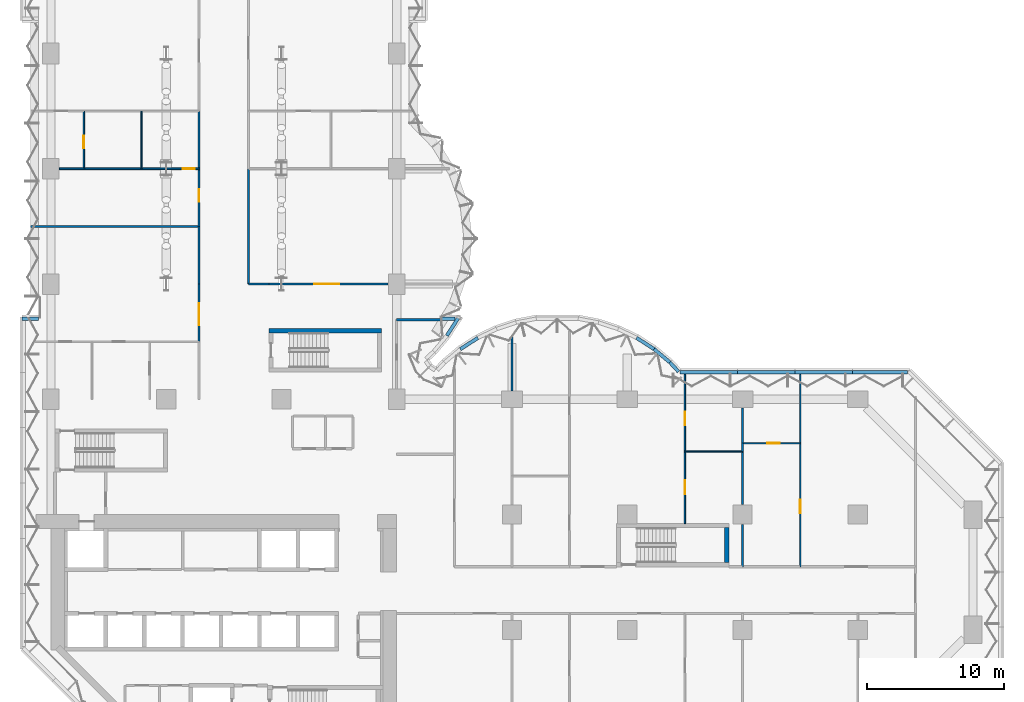
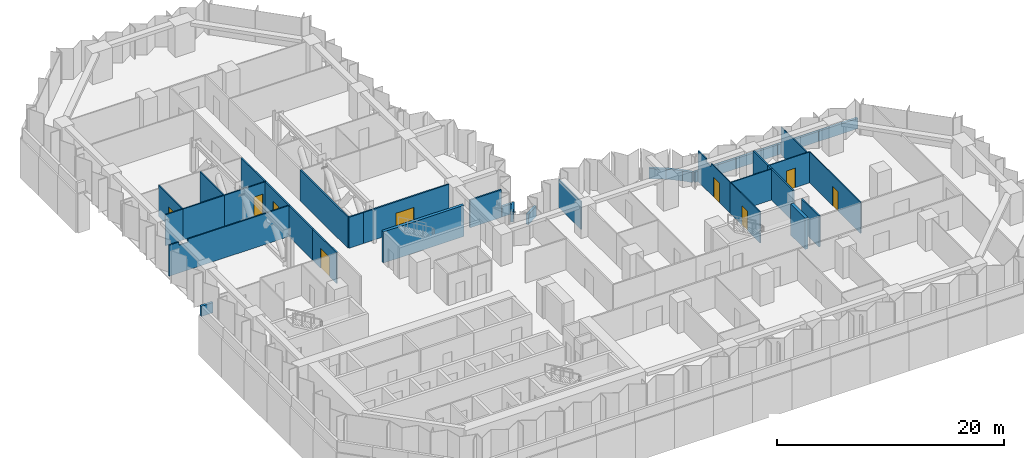
# One storey, part 13 of 24: 38 walls, 9 doors, 9 openings.
"""IFC4 building model written with IfcOpenShell, lengths in metres."""

import ifcopenshell
import ifcopenshell.guid

model = None  # the IFC model being written
_history = None  # IfcOwnerHistory: only IFC2X3 demands one
_inside = {}  # id of a spatial element -> (the spatial element, [elements in it])
_under = {}  # id of a project, library or spatial element -> (it, [spatial elements below it])
_declared = {}  # id of a project -> (the project, [libraries it declares])
_typed = {}  # id of a type object -> (the type object, [elements of that type])
_made_of = {}  # id of a material, layer set ... -> (it, [elements and type objects made of it])


def new_model(schema):
    """Start an empty IFC model of exactly this schema.

    Asked for "IFC4X3", IfcOpenShell would pick the latest addendum, in which some entities
    have other attributes; the version numbers below select the first issue.
    IFC2X3 requires an IfcOwnerHistory on every rooted entity: one is made here for all.
    """
    global model, _history
    if schema == "IFC4X3":
        model = ifcopenshell.file(schema_version=(4, 3, 0, 0))
    else:
        model = ifcopenshell.file(schema=schema)
    _inside.clear()
    _under.clear()
    _declared.clear()
    _typed.clear()
    _made_of.clear()
    _history = None
    if model.schema == "IFC2X3":
        org = make("IfcOrganization", Name="unknown")
        user = make(
            "IfcPersonAndOrganization",
            ThePerson=make("IfcPerson", FamilyName="unknown"),
            TheOrganization=org,
        )
        app = make(
            "IfcApplication",
            ApplicationDeveloper=org,
            Version="unknown",
            ApplicationFullName="unknown",
            ApplicationIdentifier="unknown",
        )
        _history = make(
            "IfcOwnerHistory",
            OwningUser=user,
            OwningApplication=app,
            ChangeAction="ADDED",
            CreationDate=0,
        )
    return model


def make(cls, **values):
    """One entity of the class cls with the attributes given. An attribute that is None is left unset."""
    return model.create_entity(
        cls, **{name: value for name, value in values.items() if value is not None}
    )


def rooted(cls, **values):
    """An entity with a GlobalId (a new one), such as an element, a storey or a relation."""
    return make(cls, GlobalId=ifcopenshell.guid.new(), OwnerHistory=_history, **values)


def si_unit(unit_type, name, prefix=None):
    """IfcSIUnit, for example si_unit("LENGTHUNIT", "METRE", prefix="MILLI")."""
    return make("IfcSIUnit", UnitType=unit_type, Prefix=prefix, Name=name)


def assignment(units):
    """IfcUnitAssignment: the units of a project."""
    return None if units is None else make("IfcUnitAssignment", Units=units)


def point(xyz):
    """IfcCartesianPoint."""
    return None if xyz is None else make("IfcCartesianPoint", Coordinates=xyz)


def direction(xyz):
    """IfcDirection."""
    return None if xyz is None else make("IfcDirection", DirectionRatios=xyz)


def frame(location, z_axis=None, x_axis=None):
    """IfcAxis2Placement3D, a coordinate frame: its origin and axes. An axis left out is left unset."""
    return make(
        "IfcAxis2Placement3D",
        Location=point(location),
        Axis=direction(z_axis),
        RefDirection=direction(x_axis),
    )


def frame_2d(location, x_axis=None):
    """IfcAxis2Placement2D, a coordinate frame in the plane: its origin and x axis."""
    return make(
        "IfcAxis2Placement2D", Location=point(location), RefDirection=direction(x_axis)
    )


def origin():
    """The frame at (0, 0, 0) with its axes left unset."""
    return frame((0.0, 0.0, 0.0))


def place(relative_to, where):
    """IfcLocalPlacement: puts the frame where relative to a parent placement (None: the world)."""
    return make(
        "IfcLocalPlacement", PlacementRelTo=relative_to, RelativePlacement=where
    )


def context(
    kind, dimensions, precision=None, world=None, true_north=None, identifier=None
):
    """IfcGeometricRepresentationContext, for example the 3D "Model" context."""
    return make(
        "IfcGeometricRepresentationContext",
        ContextIdentifier=identifier,
        ContextType=kind,
        CoordinateSpaceDimension=dimensions,
        Precision=precision,
        WorldCoordinateSystem=world,
        TrueNorth=true_north,
    )


def subcontext(parent, identifier, kind, view, scale=None):
    """IfcGeometricRepresentationSubContext, for example "Body" below "Model"."""
    return make(
        "IfcGeometricRepresentationSubContext",
        ContextIdentifier=identifier,
        ContextType=kind,
        ParentContext=parent,
        TargetScale=scale,
        TargetView=view,
    )


def project(units=None, contexts=None):
    """IfcProject with its units and contexts."""
    return rooted(
        "IfcProject",
        Name="project",
        RepresentationContexts=contexts,
        UnitsInContext=assignment(units),
    )


def spatial(cls, under=None, at=None, **own):
    """A site, building, storey or space (cls), placed at a placement, below another one or the project."""
    s = rooted(cls, ObjectPlacement=at, **own)
    if under is not None:
        _under.setdefault(under.id(), (under, []))[1].append(s)
    return s


def polyline(points):
    """IfcPolyline through the points."""
    return make("IfcPolyline", Points=[point(p) for p in points])


def profile(cls, at=None, kind="AREA", **sizes):
    """A parametric profile (cls). Its sizes go by their IFC names, for example OverallWidth=200.0."""
    return make(cls, ProfileType=kind, Position=at, **sizes)


def rectangle(**sizes):
    """IfcRectangleProfileDef."""
    return profile("IfcRectangleProfileDef", **sizes)


def outline(outer, holes=None, kind="AREA"):
    """IfcArbitraryClosedProfileDef: a profile drawn as a closed curve; with holes, ...WithVoids."""
    if holes is None:
        return make("IfcArbitraryClosedProfileDef", ProfileType=kind, OuterCurve=outer)
    return make(
        "IfcArbitraryProfileDefWithVoids",
        ProfileType=kind,
        OuterCurve=outer,
        InnerCurves=holes,
    )


def extrude(swept, where, along, depth):
    """IfcExtrudedAreaSolid: the profile swept, set in the frame where, extruded along a direction by depth."""
    return make(
        "IfcExtrudedAreaSolid",
        SweptArea=swept,
        Position=where,
        ExtrudedDirection=direction(along),
        Depth=depth,
    )


def shape(context_of_items, identifier, shape_type, items):
    """IfcShapeRepresentation: the items that make up one representation, for example the "Body"."""
    return make(
        "IfcShapeRepresentation",
        ContextOfItems=context_of_items,
        RepresentationIdentifier=identifier,
        RepresentationType=shape_type,
        Items=items,
    )


def material(Name=None, Category=None):
    """IfcMaterial."""
    return make("IfcMaterial", Name=Name, Category=Category)


def layer(
    of_material, thickness, ventilated=None, Name=None, Category=None, Priority=None
):
    """IfcMaterialLayer: one layer of a wall or slab, of a material (None: an air gap)."""
    return make(
        "IfcMaterialLayer",
        Material=of_material,
        LayerThickness=thickness,
        IsVentilated=ventilated,
        Name=Name,
        Category=Category,
        Priority=Priority,
    )


def layer_set(layers, Name=None):
    """IfcMaterialLayerSet."""
    return make("IfcMaterialLayerSet", MaterialLayers=layers, LayerSetName=Name)


def made_of(thing, what):
    """Note that an element or type object is made of a material, layer set ...; save() writes the relation."""
    if what is not None:
        _made_of.setdefault(what.id(), (what, []))[1].append(thing)
    return thing


def type_object(cls, material=None, **own):
    """A type object (cls), such as IfcWallType, which elements share."""
    return made_of(rooted(cls, **own), material)


def element(
    cls,
    number,
    at=None,
    inside=None,
    cuts=None,
    type_object=None,
    material=None,
    context=None,
    identifier="Body",
    shape_type=None,
    held_by="IfcProductDefinitionShape",
    body=None,
    shapes=None,
    **own,
):
    """One element of the class cls, such as IfcWall. Its Tag is "e" and its number.

    at: its placement. inside: the storey or other place that contains it. cuts: it is an
    opening in that element (IfcRelVoidsElement). A single representation is given by context,
    identifier, shape_type and body (its items); several are given by shapes. held_by: the class
    of the entity that holds the representations. save() writes the other relations.
    """
    e = rooted(cls, Tag="e%d" % number, ObjectPlacement=at, **own)
    if body is not None:
        shapes = [shape(context, identifier, shape_type, body)]
    if shapes is not None:
        e.Representation = make(held_by, Representations=shapes)
    if inside is not None:
        _inside.setdefault(inside.id(), (inside, []))[1].append(e)
    if cuts is not None:
        rooted(
            "IfcRelVoidsElement", RelatingBuildingElement=cuts, RelatedOpeningElement=e
        )
    if type_object is not None:
        _typed.setdefault(type_object.id(), (type_object, []))[1].append(e)
    return made_of(e, material)


def fill(opening, filler):
    """IfcRelFillsElement: the door or window that sits in an opening."""
    return rooted(
        "IfcRelFillsElement",
        RelatingOpeningElement=opening,
        RelatedBuildingElement=filler,
    )


def aggregate(whole, parts):
    """IfcRelAggregates: a whole, such as a stair, and the parts it consists of."""
    return rooted("IfcRelAggregates", RelatingObject=whole, RelatedObjects=parts)


def save(model, path):
    """Write the relations noted so far, then the file.

    IfcRelAggregates (storeys below a building ...), IfcRelContainedInSpatialStructure (elements
    in a storey), IfcRelDefinesByType, IfcRelAssociatesMaterial and IfcRelDeclares: one each for
    every whole, place, type object, material and project.
    """
    for whole, parts in _under.values():
        aggregate(whole, parts)
    for where, things in _inside.values():
        rooted(
            "IfcRelContainedInSpatialStructure",
            RelatedElements=things,
            RelatingStructure=where,
        )
    for kind, things in _typed.values():
        rooted("IfcRelDefinesByType", RelatedObjects=things, RelatingType=kind)
    for what, things in _made_of.values():
        rooted("IfcRelAssociatesMaterial", RelatedObjects=things, RelatingMaterial=what)
    for by, libraries in _declared.values():
        rooted("IfcRelDeclares", RelatingContext=by, RelatedDefinitions=libraries)
    model.write(path)


model = new_model("IFC4")

# Units and contexts
model_context = context("Model", 3, precision=1e-05, world=origin(), true_north=direction((0.0, 1.0)))
body_context = subcontext(model_context, "Body", "Model", "MODEL_VIEW")
ifc_project = project(units=[si_unit("LENGTHUNIT", "METRE"), si_unit("AREAUNIT", "SQUARE_METRE"), si_unit("VOLUMEUNIT", "CUBIC_METRE"), si_unit("PLANEANGLEUNIT", "RADIAN"), si_unit("MASSUNIT", "GRAM", prefix="KILO")], contexts=[model_context])

# Site, building, storey
site_placement = place(None, origin())
site = spatial("IfcSite", under=ifc_project, at=site_placement, CompositionType="ELEMENT")
building_placement = place(site_placement, origin())
building = spatial("IfcBuilding", under=site, at=building_placement, Name="Brevane Broadcast Tower", CompositionType="ELEMENT")
storey_placement = place(building_placement, frame((0.0, 0.0, 36.5)))
storey = spatial("IfcBuildingStorey", under=building, at=storey_placement, Name="L06", CompositionType="ELEMENT", Elevation=36.5)

# Walls
ifc_material_1 = material(Name="Concrete C50/60", Category="concrete")
ifc_layer_1 = layer(ifc_material_1, 0.25)
ifc_layer_set_1 = layer_set([ifc_layer_1], Name="CORNICE PARAPET 1100")
wall_type_1 = type_object("IfcWallType", Name="CORNICE PARAPET 1100", PredefinedType="PARAPET", material=ifc_layer_set_1)
wall_1_placement = place(storey_placement, frame((-2.10009765625, 31.074951171875, 0.0), z_axis=(0.0, 0.0, 1.0), x_axis=(1.0, 0.0, 0.0)))
element("IfcWall", 1, at=wall_1_placement, inside=storey, type_object=wall_type_1, Name="Cornice parapet", PredefinedType="PARAPET", context=body_context, shape_type="SweptSolid", body=[
    extrude(rectangle(XDim=1.2001953125, YDim=0.25, at=frame_2d((0.60009765625, 0.0))), origin(), (0.0, 0.0, 1.0), 1.10009765625),
])
wall_2_placement = place(storey_placement, frame((28.45263671875, 31.074951171875, 0.0), z_axis=(0.0, 0.0, 1.0), x_axis=(1.0, 0.0, 0.0)))
element("IfcWall", 2, at=wall_2_placement, inside=storey, type_object=wall_type_1, Name="Cornice parapet", PredefinedType="PARAPET", context=body_context, shape_type="SweptSolid", body=[
    extrude(rectangle(XDim=0.97705078125, YDim=0.25, at=frame_2d((0.488525390625, 0.0))), origin(), (0.0, 0.0, 1.0), 1.10009765625),
])
for number, where, z_axis, x_axis, name in (
    (3, (29.6796875, 31.12060546875, 0.0), (0.0, 0.0, 1.0), (-0.540886992009, -0.841095275148, 0.0), "Cornice parapet"),
    (4, (29.83740234375, 28.8544921875, 0.0), (0.0, 0.0, 1.0), (0.841095275148, 0.540886992009, 0.0), "Cornice parapet"),
    (5, (42.679443359375, 29.6796875, 0.0), (0.0, 0.0, 1.0), (0.841095275148, -0.540886992009, 0.0), "Cornice parapet"),
    (6, (43.949951171875, 28.864013671875, 0.0), (0.0, 0.0, 1.0), (0.765881374244, -0.642981897558, 0.0), "Cornice parapet"),
):
    element("IfcWall", number, at=place(storey_placement, frame(where, z_axis=z_axis, x_axis=x_axis)), inside=storey, type_object=wall_type_1, Name=name, PredefinedType="PARAPET", context=body_context, shape_type="SweptSolid", body=[
        extrude(rectangle(XDim=1.525634765625, YDim=0.25, at=frame_2d((0.7626953125, 0.0))), origin(), (0.0, 0.0, 1.0), 1.10009765625),
    ])
wall_3_placement = place(storey_placement, frame((45.10693359375, 27.89404296875, 0.0), z_axis=(0.0, 0.0, 1.0), x_axis=(0.678126420741, -0.734945275168, 0.0)))
element("IfcWall", 7, at=wall_3_placement, inside=storey, type_object=wall_type_1, Name="Cornice parapet", PredefinedType="PARAPET", context=body_context, shape_type="SweptSolid", body=[
    extrude(rectangle(XDim=0.923828125, YDim=0.25, at=frame_2d((0.4619140625, 0.0))), origin(), (0.0, 0.0, 1.0), 1.10009765625),
])
for number, where, z_axis, x_axis, name in (
    (8, (45.825439453125, 27.175048828125, 0.0), (0.0, 0.0, 1.0), (1.0, 0.0, 0.0), "Cornice parapet"),
    (9, (50.018310546875, 27.175048828125, 0.0), (0.0, 0.0, 1.0), (1.0, 0.0, 0.0), "Cornice parapet"),
    (10, (54.211181640625, 27.175048828125, 0.0), (0.0, 0.0, 1.0), (1.0, 0.0, 0.0), "Cornice parapet"),
):
    element("IfcWall", number, at=place(storey_placement, frame(where, z_axis=z_axis, x_axis=x_axis)), inside=storey, type_object=wall_type_1, Name=name, PredefinedType="PARAPET", context=body_context, shape_type="SweptSolid", body=[
        extrude(rectangle(XDim=4.19287109375, YDim=0.25, at=frame_2d((2.096435546875, 0.0))), origin(), (0.0, 0.0, 1.0), 1.10009765625),
    ])
wall_4_placement = place(storey_placement, frame((58.404052734375, 27.175048828125, 0.0), z_axis=(0.0, 0.0, 1.0), x_axis=(1.0, 0.0, 0.0)))
element("IfcWall", 11, at=wall_4_placement, inside=storey, type_object=wall_type_1, Name="Cornice parapet", PredefinedType="PARAPET", context=body_context, shape_type="SweptSolid", body=[
    extrude(rectangle(XDim=4.02294921875, YDim=0.25, at=frame_2d((2.011474609375, 0.0))), origin(), (0.0, 0.0, 1.0), 1.10009765625),
])
ifc_material_2 = material(Name="Concrete C80/95", Category="concrete")
ifc_layer_2 = layer(ifc_material_2, 0.300048828125)
ifc_layer_set_2 = layer_set([ifc_layer_2], Name="Core wall 300 mm C80/95")
wall_type_2 = type_object("IfcWallType", Name="Core wall 300 mm C80/95", PredefinedType="SHEAR", material=ifc_layer_set_2)
wall_5_placement = place(storey_placement, frame((15.89990234375, 30.199951171875, 0.0), z_axis=(0.0, 0.0, 1.0), x_axis=(1.0, 0.0, 0.0)))
element("IfcWall", 12, at=wall_5_placement, inside=storey, type_object=wall_type_2, Name="L06 stair wall ST-3-N", PredefinedType="SHEAR", context=body_context, shape_type="SweptSolid", body=[
    extrude(rectangle(XDim=8.2001953125, YDim=0.300048828125, at=frame_2d((4.10009765625, 0.0))), origin(), (0.0, 0.0, 1.0), 3.35009765625),
])
wall_6_placement = place(storey_placement, frame((49.25, 13.300048828125, 0.0), z_axis=(0.0, 0.0, 1.0), x_axis=(0.0, 1.0, 0.0)))
element("IfcWall", 13, at=wall_6_placement, inside=storey, type_object=wall_type_2, Name="L06 stair wall ST-4-E", PredefinedType="SHEAR", context=body_context, shape_type="SweptSolid", body=[
    extrude(rectangle(XDim=2.550048828125, YDim=0.300048828125, at=frame_2d((1.27490234375, 0.0))), origin(), (0.0, 0.0, 1.0), 3.35009765625),
])

# Wall, opening, door
ifc_material_3 = material(Name="Gypsum board partition")
ifc_layer_3 = layer(ifc_material_3, 0.10009765625)
ifc_layer_set_3 = layer_set([ifc_layer_3], Name="PARTITION 100 STUD")
wall_type_3 = type_object("IfcWallType", Name="PARTITION 100 STUD", PredefinedType="PARTITIONING", material=ifc_layer_set_3)
wall_7_placement = place(storey_placement, frame((46.199951171875, 21.39990234375, 0.0), z_axis=(0.0, 0.0, 1.0), x_axis=(0.0, -1.0, 0.0)))
wall_7 = element("IfcWall", 14, at=wall_7_placement, inside=storey, type_object=wall_type_3, Name="Partition G01-040", PredefinedType="PARTITIONING", context=body_context, shape_type="SweptSolid", body=[
    extrude(rectangle(XDim=5.25, YDim=0.10009765625, at=frame_2d((2.625, 0.0))), origin(), (0.0, 0.0, 1.0), 3.330078125),
])
opening_1_placement = place(wall_7_placement, frame((2.10009765625, 0.0, 0.0)))
opening_1 = element("IfcOpeningElement", 15, at=opening_1_placement, cuts=wall_7, Name="Opening D07-013", PredefinedType="OPENING", context=body_context, shape_type="SweptSolid", body=[
    extrude(rectangle(XDim=1.0, YDim=2.10009765625, at=frame_2d((0.5, 1.050048828125))), frame((0.0, 0.06005859375, 0.0), z_axis=(0.0, -1.0, 0.0), x_axis=(1.0, 0.0, 0.0)), (0.0, 0.0, 1.0), 0.1201171875),
])
ifc_material_4 = material(Name="Timber door leaf", Category="wood")
door_type_1 = type_object("IfcDoorType", Name="DOOR SINGLE 1000 INTERNAL", OperationType="SINGLE_SWING_LEFT", PredefinedType="DOOR", material=ifc_material_4)
door_1_placement = place(opening_1_placement, origin())
door_1 = element("IfcDoor", 16, at=door_1_placement, inside=storey, type_object=door_type_1, Name="Door D07-013", OperationType="SINGLE_SWING_LEFT", OverallHeight=2.10009765625, OverallWidth=1.0, PredefinedType="DOOR", context=body_context, shape_type="SweptSolid", body=[
    extrude(rectangle(XDim=1.0, YDim=2.10009765625, at=frame_2d((0.5, 1.050048828125))), frame((0.0, 0.02490234375, 0.0), z_axis=(0.0, -1.0, 0.0), x_axis=(1.0, 0.0, 0.0)), (0.0, 0.0, 1.0), 0.050048828125),
])
fill(opening_1, door_1)

wall_8_placement = place(storey_placement, frame((46.199951171875, 27.02001953125, 0.0), z_axis=(0.0, 0.0, 1.0), x_axis=(0.0, -1.0, 0.0)))
wall_8 = element("IfcWall", 17, at=wall_8_placement, inside=storey, type_object=wall_type_3, Name="Partition G01-041", PredefinedType="PARTITIONING", context=body_context, shape_type="SweptSolid", body=[
    extrude(outline(polyline([(0.0, 0.0), (5.6201171875, 0.0), (5.6201171875, 3.330078125), (2.27001953125, 3.330078125), (2.26806640625, 2.97998046875), (1.3720703125, 2.97998046875), (1.3701171875, 3.330078125), (0.719970703125, 3.330078125), (0.0, 3.330078125), (0.0, 0.0)])), frame((0.0, 0.050048828125, 0.0), z_axis=(0.0, -1.0, 0.0), x_axis=(1.0, 0.0, 0.0)), (0.0, 0.0, 1.0), 0.10009765625),
])
opening_2_placement = place(wall_8_placement, frame((2.719970703125, 0.0, 0.0)))
opening_2 = element("IfcOpeningElement", 18, at=opening_2_placement, cuts=wall_8, Name="Opening D07-014", PredefinedType="OPENING", context=body_context, shape_type="SweptSolid", body=[
    extrude(rectangle(XDim=1.0, YDim=2.10009765625, at=frame_2d((0.5, 1.050048828125))), frame((0.0, 0.06005859375, 0.0), z_axis=(0.0, -1.0, 0.0), x_axis=(1.0, 0.0, 0.0)), (0.0, 0.0, 1.0), 0.1201171875),
])
door_2_placement = place(opening_2_placement, origin())
door_2 = element("IfcDoor", 19, at=door_2_placement, inside=storey, type_object=door_type_1, Name="Door D07-014", OperationType="SINGLE_SWING_LEFT", OverallHeight=2.10009765625, OverallWidth=1.0, PredefinedType="DOOR", context=body_context, shape_type="SweptSolid", body=[
    extrude(rectangle(XDim=1.0, YDim=2.10009765625, at=frame_2d((0.5, 1.050048828125))), frame((0.0, 0.02490234375, 0.0), z_axis=(0.0, -1.0, 0.0), x_axis=(1.0, 0.0, 0.0)), (0.0, 0.0, 1.0), 0.050048828125),
])
fill(opening_2, door_2)

# Wall
wall_9_placement = place(storey_placement, frame((46.199951171875, 21.39990234375, 0.0), z_axis=(0.0, 0.0, 1.0), x_axis=(1.0, 0.0, 0.0)))
element("IfcWall", 20, at=wall_9_placement, inside=storey, type_object=wall_type_3, Name="Partition G01-044", PredefinedType="PARTITIONING", context=body_context, shape_type="SweptSolid", body=[
    extrude(rectangle(XDim=4.199951171875, YDim=0.10009765625, at=frame_2d((2.10009765625, 0.0))), origin(), (0.0, 0.0, 1.0), 3.330078125),
])

# Wall, opening, door
wall_10_placement = place(storey_placement, frame((54.60009765625, 13.0, 0.0), z_axis=(0.0, 0.0, 1.0), x_axis=(0.0, 1.0, 0.0)))
wall_10 = element("IfcWall", 21, at=wall_10_placement, inside=storey, type_object=wall_type_3, Name="Partition G01-050", PredefinedType="PARTITIONING", context=body_context, shape_type="SweptSolid", body=[
    extrude(rectangle(XDim=9.0, YDim=0.10009765625, at=frame_2d((4.5, 0.0))), origin(), (0.0, 0.0, 1.0), 3.330078125),
])
opening_3_placement = place(wall_10_placement, frame((3.89990234375, 0.0, 0.0)))
opening_3 = element("IfcOpeningElement", 22, at=opening_3_placement, cuts=wall_10, Name="Opening D07-018", PredefinedType="OPENING", context=body_context, shape_type="SweptSolid", body=[
    extrude(rectangle(XDim=1.0, YDim=2.10009765625, at=frame_2d((0.5, 1.050048828125))), frame((0.0, 0.06005859375, 0.0), z_axis=(0.0, -1.0, 0.0), x_axis=(1.0, 0.0, 0.0)), (0.0, 0.0, 1.0), 0.1201171875),
])
door_3_placement = place(opening_3_placement, origin())
door_3 = element("IfcDoor", 23, at=door_3_placement, inside=storey, type_object=door_type_1, Name="Door D07-018", OperationType="SINGLE_SWING_LEFT", OverallHeight=2.10009765625, OverallWidth=1.0, PredefinedType="DOOR", context=body_context, shape_type="SweptSolid", body=[
    extrude(rectangle(XDim=1.0, YDim=2.10009765625, at=frame_2d((0.5, 1.050048828125))), frame((0.0, 0.02490234375, 0.0), z_axis=(0.0, -1.0, 0.0), x_axis=(1.0, 0.0, 0.0)), (0.0, 0.0, 1.0), 0.050048828125),
])
fill(opening_3, door_3)

# Wall
wall_11_placement = place(storey_placement, frame((54.60009765625, 22.0, 0.0), z_axis=(0.0, 0.0, 1.0), x_axis=(0.0, 1.0, 0.0)))
element("IfcWall", 24, at=wall_11_placement, inside=storey, type_object=wall_type_3, Name="Partition G01-051", PredefinedType="PARTITIONING", context=body_context, shape_type="SweptSolid", body=[
    extrude(rectangle(XDim=5.02001953125, YDim=0.10009765625, at=frame_2d((2.510009765625, 0.0))), origin(), (0.0, 0.0, 1.0), 2.97998046875),
])

# Wall, opening, door
wall_12_placement = place(storey_placement, frame((50.39990234375, 22.0, 0.0), z_axis=(0.0, 0.0, 1.0), x_axis=(1.0, 0.0, 0.0)))
wall_12 = element("IfcWall", 25, at=wall_12_placement, inside=storey, type_object=wall_type_3, Name="Partition G01-052", PredefinedType="PARTITIONING", context=body_context, shape_type="SweptSolid", body=[
    extrude(rectangle(XDim=4.2001953125, YDim=0.10009765625, at=frame_2d((2.10009765625, 0.0))), origin(), (0.0, 0.0, 1.0), 3.330078125),
])
opening_4_placement = place(wall_12_placement, frame((1.800048828125, 0.0, 0.0)))
opening_4 = element("IfcOpeningElement", 26, at=opening_4_placement, cuts=wall_12, Name="Opening D07-019", PredefinedType="OPENING", context=body_context, shape_type="SweptSolid", body=[
    extrude(rectangle(XDim=0.89990234375, YDim=2.10009765625, at=frame_2d((0.449951171875, 1.050048828125))), frame((0.0, 0.06005859375, 0.0), z_axis=(0.0, -1.0, 0.0), x_axis=(1.0, 0.0, 0.0)), (0.0, 0.0, 1.0), 0.1201171875),
])
door_type_2 = type_object("IfcDoorType", Name="DOOR SINGLE 900 INTERNAL", OperationType="SINGLE_SWING_LEFT", PredefinedType="DOOR", material=ifc_material_4)
door_4_placement = place(opening_4_placement, origin())
door_4 = element("IfcDoor", 27, at=door_4_placement, inside=storey, type_object=door_type_2, Name="Door D07-019", OperationType="SINGLE_SWING_LEFT", OverallHeight=2.10009765625, OverallWidth=0.89990234375, PredefinedType="DOOR", context=body_context, shape_type="SweptSolid", body=[
    extrude(rectangle(XDim=0.89990234375, YDim=2.10009765625, at=frame_2d((0.449951171875, 1.050048828125))), frame((0.0, 0.02490234375, 0.0), z_axis=(0.0, -1.0, 0.0), x_axis=(1.0, 0.0, 0.0)), (0.0, 0.0, 1.0), 0.050048828125),
])
fill(opening_4, door_4)

wall_13_placement = place(storey_placement, frame((2.39990234375, 46.199951171875, 0.0), z_axis=(0.0, 0.0, 1.0), x_axis=(0.0, -1.0, 0.0)))
wall_13 = element("IfcWall", 28, at=wall_13_placement, inside=storey, type_object=wall_type_3, Name="Partition G01-085", PredefinedType="PARTITIONING", context=body_context, shape_type="SweptSolid", body=[
    extrude(rectangle(XDim=4.199951171875, YDim=0.10009765625, at=frame_2d((2.10009765625, 0.0))), origin(), (0.0, 0.0, 1.0), 3.330078125),
])
opening_5_placement = place(wall_13_placement, frame((1.800048828125, 0.0, 0.0)))
opening_5 = element("IfcOpeningElement", 29, at=opening_5_placement, cuts=wall_13, Name="Opening D07-028", PredefinedType="OPENING", context=body_context, shape_type="SweptSolid", body=[
    extrude(rectangle(XDim=0.89990234375, YDim=2.10009765625, at=frame_2d((0.449951171875, 1.050048828125))), frame((0.0, 0.06005859375, 0.0), z_axis=(0.0, -1.0, 0.0), x_axis=(1.0, 0.0, 0.0)), (0.0, 0.0, 1.0), 0.1201171875),
])
door_5_placement = place(opening_5_placement, origin())
door_5 = element("IfcDoor", 30, at=door_5_placement, inside=storey, type_object=door_type_2, Name="Door D07-028", OperationType="SINGLE_SWING_LEFT", OverallHeight=2.10009765625, OverallWidth=0.89990234375, PredefinedType="DOOR", context=body_context, shape_type="SweptSolid", body=[
    extrude(rectangle(XDim=0.89990234375, YDim=2.10009765625, at=frame_2d((0.449951171875, 1.050048828125))), frame((0.0, 0.02490234375, 0.0), z_axis=(0.0, -1.0, 0.0), x_axis=(1.0, 0.0, 0.0)), (0.0, 0.0, 1.0), 0.050048828125),
])
fill(opening_5, door_5)

# Walls
wall_14_placement = place(storey_placement, frame((6.60009765625, 46.199951171875, 0.0), z_axis=(0.0, 0.0, 1.0), x_axis=(0.0, -1.0, 0.0)))
element("IfcWall", 31, at=wall_14_placement, inside=storey, type_object=wall_type_3, Name="Partition G01-086", PredefinedType="PARTITIONING", context=body_context, shape_type="SweptSolid", body=[
    extrude(rectangle(XDim=4.199951171875, YDim=0.10009765625, at=frame_2d((2.10009765625, 0.0))), origin(), (0.0, 0.0, 1.0), 3.330078125),
])
ifc_layer_4 = layer(ifc_material_3, 0.125)
ifc_layer_set_4 = layer_set([ifc_layer_4], Name="PARTITION 125 ACOUSTIC")
wall_type_4 = type_object("IfcWallType", Name="PARTITION 125 ACOUSTIC", PredefinedType="PARTITIONING", material=ifc_layer_set_4)
wall_15_placement = place(storey_placement, frame((33.60009765625, 29.761962890625, 0.0), z_axis=(0.0, 0.0, 1.0), x_axis=(0.0, -1.0, 0.0)))
element("IfcWall", 32, at=wall_15_placement, inside=storey, type_object=wall_type_4, Name="Partition G01-038", PredefinedType="PARTITIONING", context=body_context, shape_type="SweptSolid", body=[
    extrude(rectangle(XDim=3.94189453125, YDim=0.125, at=frame_2d((1.970947265625, 0.0))), origin(), (0.0, 0.0, 1.0), 2.97998046875),
])
wall_16_placement = place(storey_placement, frame((-1.469970703125, 37.800048828125, 0.0), z_axis=(0.0, 0.0, 1.0), x_axis=(1.0, 0.0, 0.0)))
element("IfcWall", 33, at=wall_16_placement, inside=storey, type_object=wall_type_4, Name="Partition G01-075", PredefinedType="PARTITIONING", context=body_context, shape_type="SweptSolid", body=[
    extrude(outline(polyline([(0.0, 0.0), (12.27001953125, 0.0), (12.27001953125, 3.330078125), (1.919921875, 3.330078125), (1.91796875, 2.97998046875), (1.02197265625, 2.97998046875), (1.02001953125, 3.330078125), (0.3701171875, 3.330078125), (0.0, 3.330078125), (0.0, 0.0)])), frame((0.0, 0.0625, 0.0), z_axis=(0.0, -1.0, 0.0), x_axis=(1.0, 0.0, 0.0)), (0.0, 0.0, 1.0), 0.125),
])
wall_17_placement = place(storey_placement, frame((0.6201171875, 42.0, 0.0), z_axis=(0.0, 0.0, 1.0), x_axis=(1.0, 0.0, 0.0)))
element("IfcWall", 34, at=wall_17_placement, inside=storey, type_object=wall_type_4, Name="Partition G01-078", PredefinedType="PARTITIONING", context=body_context, shape_type="SweptSolid", body=[
    extrude(rectangle(XDim=1.77978515625, YDim=0.125, at=frame_2d((0.889892578125, 0.0))), origin(), (0.0, 0.0, 1.0), 3.330078125),
])
wall_18_placement = place(storey_placement, frame((2.39990234375, 42.0, 0.0), z_axis=(0.0, 0.0, 1.0), x_axis=(1.0, 0.0, 0.0)))
element("IfcWall", 35, at=wall_18_placement, inside=storey, type_object=wall_type_4, Name="Partition G01-079", PredefinedType="PARTITIONING", context=body_context, shape_type="SweptSolid", body=[
    extrude(rectangle(XDim=4.2001953125, YDim=0.125, at=frame_2d((2.10009765625, 0.0))), origin(), (0.0, 0.0, 1.0), 3.330078125),
])

# Wall, opening, door
wall_19_placement = place(storey_placement, frame((6.60009765625, 42.0, 0.0), z_axis=(0.0, 0.0, 1.0), x_axis=(1.0, 0.0, 0.0)))
wall_19 = element("IfcWall", 36, at=wall_19_placement, inside=storey, type_object=wall_type_4, Name="Partition G01-080", PredefinedType="PARTITIONING", context=body_context, shape_type="SweptSolid", body=[
    extrude(rectangle(XDim=4.199951171875, YDim=0.125, at=frame_2d((2.10009765625, 0.0))), origin(), (0.0, 0.0, 1.0), 3.330078125),
])
opening_6_placement = place(wall_19_placement, frame((3.0, 0.0, 0.0)))
opening_6 = element("IfcOpeningElement", 37, at=opening_6_placement, cuts=wall_19, Name="Opening D07-029", PredefinedType="OPENING", context=body_context, shape_type="SweptSolid", body=[
    extrude(rectangle(XDim=0.89990234375, YDim=2.10009765625, at=frame_2d((0.449951171875, 1.050048828125))), frame((0.0, 0.072509765625, 0.0), z_axis=(0.0, -1.0, 0.0), x_axis=(1.0, 0.0, 0.0)), (0.0, 0.0, 1.0), 0.14501953125),
])
door_6_placement = place(opening_6_placement, origin())
door_6 = element("IfcDoor", 38, at=door_6_placement, inside=storey, type_object=door_type_2, Name="Door D07-029", OperationType="SINGLE_SWING_RIGHT", OverallHeight=2.10009765625, OverallWidth=0.89990234375, PredefinedType="DOOR", context=body_context, shape_type="SweptSolid", body=[
    extrude(rectangle(XDim=0.89990234375, YDim=2.10009765625, at=frame_2d((0.449951171875, 1.050048828125))), frame((0.0, 0.02490234375, 0.0), z_axis=(0.0, -1.0, 0.0), x_axis=(1.0, 0.0, 0.0)), (0.0, 0.0, 1.0), 0.050048828125),
])
fill(opening_6, door_6)

# Walls
ifc_layer_5 = layer(ifc_material_3, 0.14990234375)
ifc_layer_set_5 = layer_set([ifc_layer_5], Name="PARTITION 150 EI 60")
wall_type_5 = type_object("IfcWallType", Name="PARTITION 150 EI 60", PredefinedType="PARTITIONING", material=ifc_layer_set_5)
wall_20_placement = place(storey_placement, frame((25.199951171875, 31.0, 0.0), z_axis=(0.0, 0.0, 1.0), x_axis=(1.0, 0.0, 0.0)))
element("IfcWall", 39, at=wall_20_placement, inside=storey, type_object=wall_type_5, Name="Partition G01-006", PredefinedType="PARTITIONING", context=body_context, shape_type="SweptSolid", body=[
    extrude(rectangle(XDim=3.20556640625, YDim=0.14990234375, at=frame_2d((1.602783203125, 0.0))), origin(), (0.0, 0.0, 1.0), 2.97998046875),
])
wall_21_placement = place(storey_placement, frame((50.39990234375, 21.39990234375, 0.0), z_axis=(0.0, 0.0, 1.0), x_axis=(0.0, -1.0, 0.0)))
element("IfcWall", 40, at=wall_21_placement, inside=storey, type_object=wall_type_5, Name="Partition G01-045", PredefinedType="PARTITIONING", context=body_context, shape_type="SweptSolid", body=[
    extrude(rectangle(XDim=3.8798828125, YDim=0.14990234375, at=frame_2d((1.93994140625, 0.0))), origin(), (0.0, 0.0, 1.0), 3.330078125),
])
wall_22_placement = place(storey_placement, frame((50.39990234375, 16.080078125, 0.0), z_axis=(0.0, 0.0, 1.0), x_axis=(0.0, -1.0, 0.0)))
element("IfcWall", 41, at=wall_22_placement, inside=storey, type_object=wall_type_5, Name="Partition G01-046", PredefinedType="PARTITIONING", context=body_context, shape_type="SweptSolid", body=[
    extrude(rectangle(XDim=3.080078125, YDim=0.14990234375, at=frame_2d((1.5400390625, 0.0))), origin(), (0.0, 0.0, 1.0), 3.330078125),
])
wall_23_placement = place(storey_placement, frame((50.39990234375, 22.0, 0.0), z_axis=(0.0, 0.0, 1.0), x_axis=(0.0, -1.0, 0.0)))
element("IfcWall", 42, at=wall_23_placement, inside=storey, type_object=wall_type_5, Name="Partition G01-047", PredefinedType="PARTITIONING", context=body_context, shape_type="SweptSolid", body=[
    extrude(rectangle(XDim=0.60009765625, YDim=0.14990234375, at=frame_2d((0.300048828125, 0.0))), origin(), (0.0, 0.0, 1.0), 3.330078125),
])
wall_24_placement = place(storey_placement, frame((50.39990234375, 24.580078125, 0.0), z_axis=(0.0, 0.0, 1.0), x_axis=(0.0, -1.0, 0.0)))
element("IfcWall", 43, at=wall_24_placement, inside=storey, type_object=wall_type_5, Name="Partition G01-048", PredefinedType="PARTITIONING", context=body_context, shape_type="SweptSolid", body=[
    extrude(rectangle(XDim=2.580078125, YDim=0.14990234375, at=frame_2d((1.2900390625, 0.0))), origin(), (0.0, 0.0, 1.0), 3.330078125),
])

# Wall, opening, door
wall_25_placement = place(storey_placement, frame((10.800048828125, 29.39990234375, 0.0), z_axis=(0.0, 0.0, 1.0), x_axis=(0.0, 1.0, 0.0)))
wall_25 = element("IfcWall", 44, at=wall_25_placement, inside=storey, type_object=wall_type_5, Name="Partition G01-053", PredefinedType="PARTITIONING", context=body_context, shape_type="SweptSolid", body=[
    extrude(rectangle(XDim=4.2001953125, YDim=0.14990234375, at=frame_2d((2.10009765625, 0.0))), origin(), (0.0, 0.0, 1.0), 3.330078125),
])
opening_7_placement = place(wall_25_placement, frame((1.199951171875, 0.0, 0.0)))
opening_7 = element("IfcOpeningElement", 45, at=opening_7_placement, cuts=wall_25, Name="Opening D07-021", PredefinedType="OPENING", context=body_context, shape_type="SweptSolid", body=[
    extrude(rectangle(XDim=1.60009765625, YDim=2.10009765625, at=frame_2d((0.800048828125, 1.050048828125))), frame((0.0, 0.0849609375, 0.0), z_axis=(0.0, -1.0, 0.0), x_axis=(1.0, 0.0, 0.0)), (0.0, 0.0, 1.0), 0.169921875),
])
ifc_material_5 = material(Name="Fire-rated timber door leaf", Category="wood")
door_type_3 = type_object("IfcDoorType", Name="DOOR DOUBLE 1600 FD30S", OperationType="DOUBLE_DOOR_SINGLE_SWING", PredefinedType="DOOR", material=ifc_material_5)
door_7_placement = place(opening_7_placement, origin())
door_7 = element("IfcDoor", 46, at=door_7_placement, inside=storey, type_object=door_type_3, Name="Door D07-021", OperationType="DOUBLE_DOOR_SINGLE_SWING", OverallHeight=2.10009765625, OverallWidth=1.60009765625, PredefinedType="DOOR", context=body_context, shape_type="SweptSolid", body=[
    extrude(rectangle(XDim=1.60009765625, YDim=2.10009765625, at=frame_2d((0.800048828125, 1.050048828125))), frame((0.0, 0.02490234375, 0.0), z_axis=(0.0, -1.0, 0.0), x_axis=(1.0, 0.0, 0.0)), (0.0, 0.0, 1.0), 0.050048828125),
])
fill(opening_7, door_7)

# Wall
wall_26_placement = place(storey_placement, frame((14.39990234375, 33.60009765625, 0.0), z_axis=(0.0, 0.0, 1.0), x_axis=(1.0, 0.0, 0.0)))
element("IfcWall", 47, at=wall_26_placement, inside=storey, type_object=wall_type_5, Name="Partition G01-055", PredefinedType="PARTITIONING", context=body_context, shape_type="SweptSolid", body=[
    extrude(rectangle(XDim=1.5, YDim=0.14990234375, at=frame_2d((0.75, 0.0))), origin(), (0.0, 0.0, 1.0), 3.330078125),
])

# Wall, opening, door
wall_27_placement = place(storey_placement, frame((15.89990234375, 33.60009765625, 0.0), z_axis=(0.0, 0.0, 1.0), x_axis=(1.0, 0.0, 0.0)))
wall_27 = element("IfcWall", 48, at=wall_27_placement, inside=storey, type_object=wall_type_5, Name="Partition G01-056", PredefinedType="PARTITIONING", context=body_context, shape_type="SweptSolid", body=[
    extrude(rectangle(XDim=8.68017578125, YDim=0.14990234375, at=frame_2d((4.340087890625, 0.0))), origin(), (0.0, 0.0, 1.0), 3.330078125),
])
opening_8_placement = place(wall_27_placement, frame((3.300048828125, 0.0, 0.0)))
opening_8 = element("IfcOpeningElement", 49, at=opening_8_placement, cuts=wall_27, Name="Opening D07-031", PredefinedType="OPENING", context=body_context, shape_type="SweptSolid", body=[
    extrude(rectangle(XDim=1.800048828125, YDim=2.10009765625, at=frame_2d((0.89990234375, 1.050048828125))), frame((0.0, 0.0849609375, 0.0), z_axis=(0.0, -1.0, 0.0), x_axis=(1.0, 0.0, 0.0)), (0.0, 0.0, 1.0), 0.169921875),
])
door_type_4 = type_object("IfcDoorType", Name="DOOR DOUBLE 1800 FD30S", OperationType="DOUBLE_DOOR_SINGLE_SWING", PredefinedType="DOOR", material=ifc_material_5)
door_8_placement = place(opening_8_placement, origin())
door_8 = element("IfcDoor", 50, at=door_8_placement, inside=storey, type_object=door_type_4, Name="Door D07-031", OperationType="DOUBLE_DOOR_SINGLE_SWING", OverallHeight=2.10009765625, OverallWidth=1.800048828125, PredefinedType="DOOR", context=body_context, shape_type="SweptSolid", body=[
    extrude(rectangle(XDim=1.800048828125, YDim=2.10009765625, at=frame_2d((0.89990234375, 1.050048828125))), frame((0.0, 0.02490234375, 0.0), z_axis=(0.0, -1.0, 0.0), x_axis=(1.0, 0.0, 0.0)), (0.0, 0.0, 1.0), 0.050048828125),
])
fill(opening_8, door_8)

# Wall
wall_28_placement = place(storey_placement, frame((10.800048828125, 33.60009765625, 0.0), z_axis=(0.0, 0.0, 1.0), x_axis=(0.0, 1.0, 0.0)))
element("IfcWall", 51, at=wall_28_placement, inside=storey, type_object=wall_type_5, Name="Partition G01-059", PredefinedType="PARTITIONING", context=body_context, shape_type="SweptSolid", body=[
    extrude(rectangle(XDim=4.199951171875, YDim=0.14990234375, at=frame_2d((2.10009765625, 0.0))), origin(), (0.0, 0.0, 1.0), 3.330078125),
])

# Wall, opening, door
wall_29_placement = place(storey_placement, frame((10.800048828125, 37.800048828125, 0.0), z_axis=(0.0, 0.0, 1.0), x_axis=(0.0, 1.0, 0.0)))
wall_29 = element("IfcWall", 52, at=wall_29_placement, inside=storey, type_object=wall_type_5, Name="Partition G01-060", PredefinedType="PARTITIONING", context=body_context, shape_type="SweptSolid", body=[
    extrude(rectangle(XDim=4.199951171875, YDim=0.14990234375, at=frame_2d((2.10009765625, 0.0))), origin(), (0.0, 0.0, 1.0), 3.330078125),
])
opening_9_placement = place(wall_29_placement, frame((1.800048828125, 0.0, 0.0)))
opening_9 = element("IfcOpeningElement", 53, at=opening_9_placement, cuts=wall_29, Name="Opening D07-025", PredefinedType="OPENING", context=body_context, shape_type="SweptSolid", body=[
    extrude(rectangle(XDim=0.89990234375, YDim=2.10009765625, at=frame_2d((0.449951171875, 1.050048828125))), frame((0.0, 0.0849609375, 0.0), z_axis=(0.0, -1.0, 0.0), x_axis=(1.0, 0.0, 0.0)), (0.0, 0.0, 1.0), 0.169921875),
])
door_type_5 = type_object("IfcDoorType", Name="DOOR SINGLE 900 FD30S", OperationType="SINGLE_SWING_LEFT", PredefinedType="DOOR", material=ifc_material_5)
door_9_placement = place(opening_9_placement, origin())
door_9 = element("IfcDoor", 54, at=door_9_placement, inside=storey, type_object=door_type_5, Name="Door D07-025", OperationType="SINGLE_SWING_LEFT", OverallHeight=2.10009765625, OverallWidth=0.89990234375, PredefinedType="DOOR", context=body_context, shape_type="SweptSolid", body=[
    extrude(rectangle(XDim=0.89990234375, YDim=2.10009765625, at=frame_2d((0.449951171875, 1.050048828125))), frame((0.0, 0.02490234375, 0.0), z_axis=(0.0, -1.0, 0.0), x_axis=(1.0, 0.0, 0.0)), (0.0, 0.0, 1.0), 0.050048828125),
])
fill(opening_9, door_9)

# Walls
wall_30_placement = place(storey_placement, frame((10.800048828125, 42.0, 0.0), z_axis=(0.0, 0.0, 1.0), x_axis=(0.0, 1.0, 0.0)))
element("IfcWall", 55, at=wall_30_placement, inside=storey, type_object=wall_type_5, Name="Partition G01-062", PredefinedType="PARTITIONING", context=body_context, shape_type="SweptSolid", body=[
    extrude(rectangle(XDim=4.199951171875, YDim=0.14990234375, at=frame_2d((2.10009765625, 0.0))), origin(), (0.0, 0.0, 1.0), 3.330078125),
])
wall_31_placement = place(storey_placement, frame((14.39990234375, 42.0, 0.0), z_axis=(0.0, 0.0, 1.0), x_axis=(0.0, -1.0, 0.0)))
element("IfcWall", 56, at=wall_31_placement, inside=storey, type_object=wall_type_5, Name="Partition G01-064", PredefinedType="PARTITIONING", context=body_context, shape_type="SweptSolid", body=[
    extrude(rectangle(XDim=8.39990234375, YDim=0.14990234375, at=frame_2d((4.199951171875, 0.0))), origin(), (0.0, 0.0, 1.0), 3.330078125),
])

save(model, "model.ifc")
